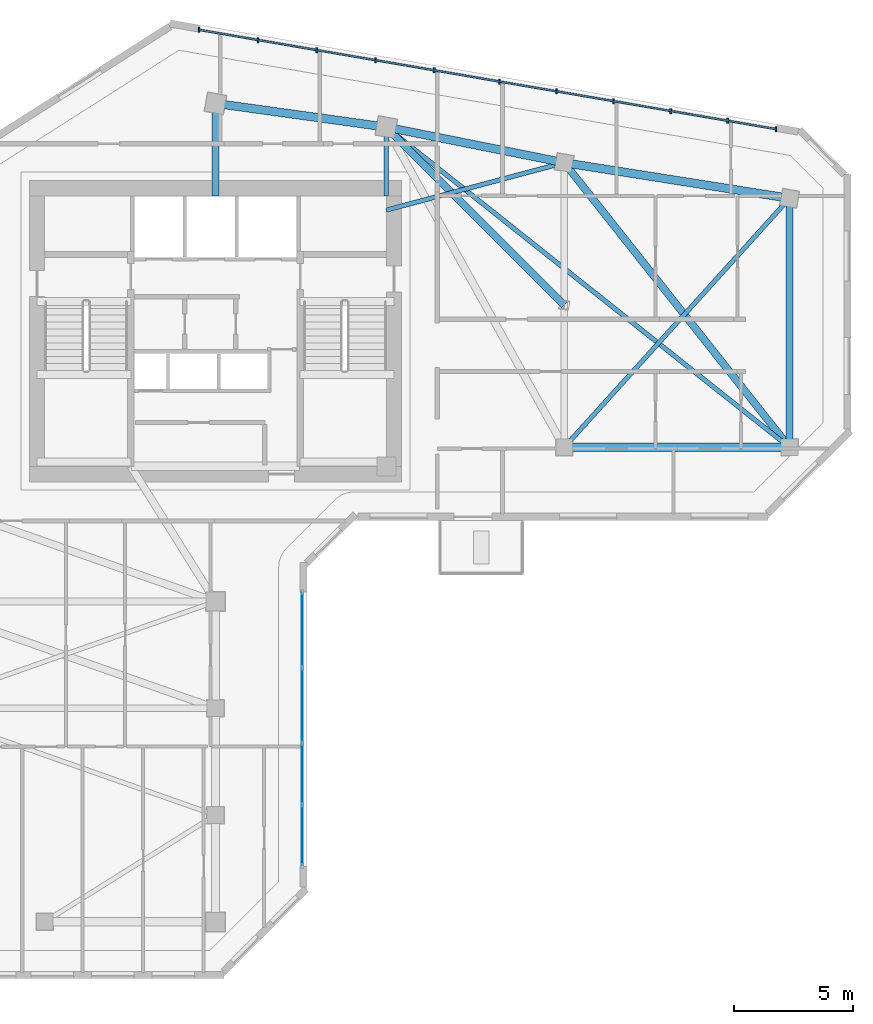
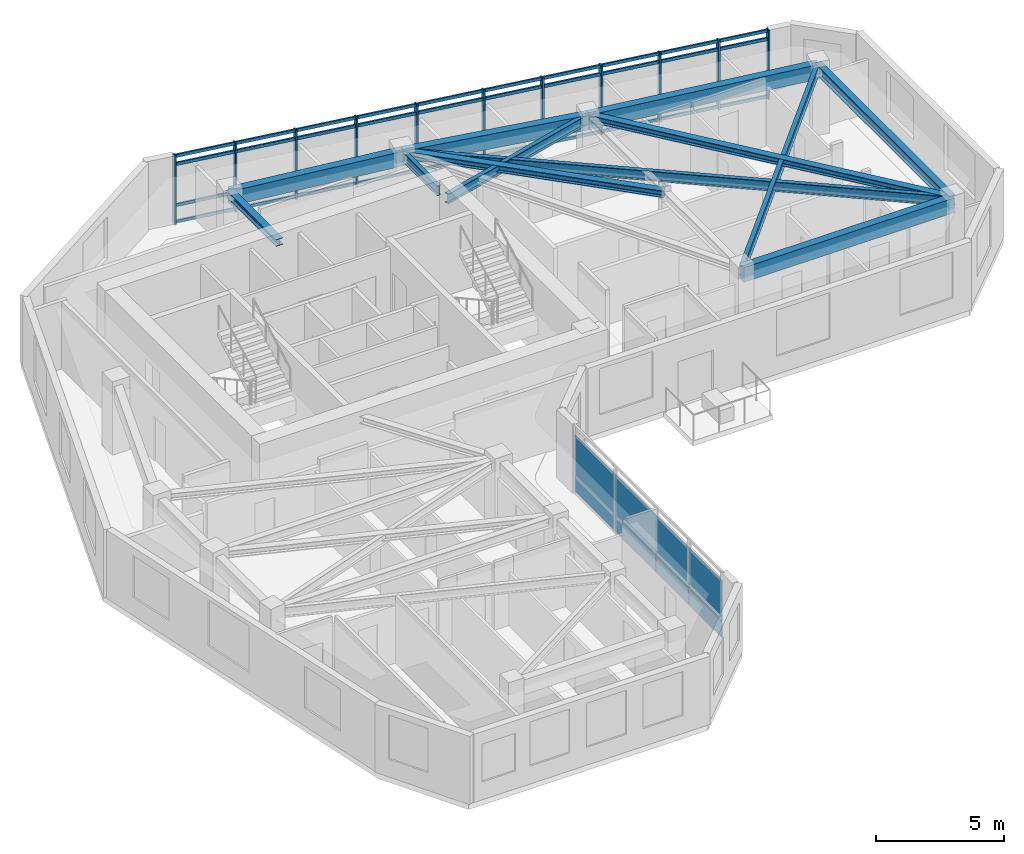
# One storey, part 3 of 11: 15 members, 12 beams, 8 plates, 2 elements without a shape of their own.
"""IFC4 building model written with IfcOpenShell, lengths in metres."""

from ifc_helpers import new_model, si_unit, direction, frame, frame_2d, origin, origin_2d, place, context, subcontext, project, spatial, rectangle, i_section, extrude, source, transform, mapped, material, layer, layer_set, material_profile, profile_set, type_object, element, aggregate, save


model = new_model("IFC4")

# Units and contexts
model_context = context("Model", 3, precision=1e-05, world=origin(), true_north=direction((0.0, 1.0)))
body_context = subcontext(model_context, "Body", "Model", "MODEL_VIEW")
ifc_project = project(units=[si_unit("LENGTHUNIT", "METRE"), si_unit("AREAUNIT", "SQUARE_METRE"), si_unit("VOLUMEUNIT", "CUBIC_METRE"), si_unit("PLANEANGLEUNIT", "RADIAN"), si_unit("MASSUNIT", "GRAM", prefix="KILO")], contexts=[model_context])

# Site, building, storey
site_placement = place(None, origin())
site = spatial("IfcSite", under=ifc_project, at=site_placement, CompositionType="ELEMENT")
building_placement = place(site_placement, origin())
building = spatial("IfcBuilding", under=site, at=building_placement, Name="Calvemar Wedge Station Tower", CompositionType="ELEMENT")
storey_placement = place(building_placement, frame((0.0, 0.0, 186.89990234375)))
storey = spatial("IfcBuildingStorey", under=building, at=storey_placement, Name="L46", CompositionType="ELEMENT", Elevation=186.89990234375)

# Beams
ifc_material_1 = material(Name="Structural steel ASTM A572 Grade 50", Category="steel")
ifc_material_profile_1 = material_profile(ifc_material_1, i_section(OverallWidth=0.19189453125, OverallDepth=0.462890625, WebThickness=0.010498046875, FlangeThickness=0.017578125, FilletRadius=0.012939453125, at=origin_2d()), Name="W460x89")
ifc_profile_set_1 = profile_set([ifc_material_profile_1], Name="Structural steel ASTM A572 Grade 50")
beam_type_1 = type_object("IfcBeamType", Name="BM-J1-W460", PredefinedType="JOIST", material=ifc_profile_set_1)
shared_shape_1 = source(origin(), body_context, "Body", "SweptSolid", [
    extrude(i_section(OverallWidth=0.19189453125, OverallDepth=0.462890625, WebThickness=0.010498046875, FlangeThickness=0.017578125, FilletRadius=0.012939453125, at=origin_2d()), origin(), (0.0, 0.0, 1.0), 21.708251953125),
])
beam_1_placement = place(storey_placement, frame((31.0, 48.5, 3.0185546875), z_axis=(0.783110847498, -0.621882143602, 0.0), x_axis=(0.621882143602, 0.783110847498, 0.0)))
element("IfcBeam", 1, at=beam_1_placement, inside=storey, type_object=beam_type_1, Name="Storey L46 Floor Beam T-N2-T-NL3", PredefinedType="JOIST", context=body_context, shape_type="MappedRepresentation", body=[
    mapped(shared_shape_1, transform((0.0, 0.0, 0.0), scale=1.0)),
])
ifc_material_profile_2 = material_profile(ifc_material_1, i_section(OverallWidth=0.30908203125, OverallDepth=0.322998046875, WebThickness=0.013916015625, FlangeThickness=0.02294921875, FilletRadius=0.014892578125, at=origin_2d()), Name="W310x143")
ifc_profile_set_2 = profile_set([ifc_material_profile_2], Name="Structural steel ASTM A572 Grade 50")
beam_type_2 = type_object("IfcBeamType", Name="BM-J5-W310H", PredefinedType="JOIST", material=ifc_profile_set_2)
shared_shape_2 = source(origin(), body_context, "Body", "SweptSolid", [
    extrude(i_section(OverallWidth=0.30908203125, OverallDepth=0.322998046875, WebThickness=0.013916015625, FlangeThickness=0.02294921875, FilletRadius=0.014892578125, at=origin_2d()), origin(), (0.0, 0.0, 1.0), 15.30517578125),
])
beam_2_placement = place(storey_placement, frame((38.5, 47.0, 3.088623046875), z_axis=(0.620702944366, -0.784045824462, 0.0), x_axis=(0.784045824462, 0.620702944366, 0.0)))
element("IfcBeam", 2, at=beam_2_placement, inside=storey, type_object=beam_type_2, Name="Storey L46 Floor Beam T-NU3-T-NL3", PredefinedType="JOIST", context=body_context, shape_type="MappedRepresentation", body=[
    mapped(shared_shape_2, transform((0.0, 0.0, 0.0), scale=1.0)),
])
shared_shape_3 = source(origin(), body_context, "Body", "SweptSolid", [
    extrude(i_section(OverallWidth=0.19189453125, OverallDepth=0.462890625, WebThickness=0.010498046875, FlangeThickness=0.017578125, FilletRadius=0.012939453125, at=origin_2d()), origin(), (0.0, 0.0, 1.0), 14.159912109375),
])
beam_3_placement = place(storey_placement, frame((38.5, 35.0, 3.0185546875), z_axis=(0.670913323969, 0.741535779124, 0.0), x_axis=(-0.741535779124, 0.670913323969, 0.0)))
element("IfcBeam", 3, at=beam_3_placement, inside=storey, type_object=beam_type_1, Name="Storey L46 Floor Beam T-NL2-T-NU4", PredefinedType="JOIST", context=body_context, shape_type="MappedRepresentation", body=[
    mapped(shared_shape_3, transform((0.0, 0.0, 0.0), scale=1.0)),
])
shared_shape_4 = source(origin(), body_context, "Body", "SweptSolid", [
    extrude(i_section(OverallWidth=0.19189453125, OverallDepth=0.462890625, WebThickness=0.010498046875, FlangeThickness=0.017578125, FilletRadius=0.012939453125, at=origin_2d()), origin(), (0.0, 0.0, 1.0), 7.76220703125),
])
beam_4_placement = place(storey_placement, frame((31.0, 45.0, 3.0185546875), z_axis=(0.966234939601, 0.25766265056, 0.0), x_axis=(-0.25766265056, 0.966234939601, 0.0)))
element("IfcBeam", 4, at=beam_4_placement, inside=storey, type_object=beam_type_1, Name="Storey L46 Core-to-Column Joist CJ-E2", PredefinedType="JOIST", context=body_context, shape_type="MappedRepresentation", body=[
    mapped(shared_shape_4, transform((0.0, 0.0, 0.0), scale=1.0)),
])
shared_shape_5 = source(origin(), body_context, "Body", "SweptSolid", [
    extrude(i_section(OverallWidth=0.30908203125, OverallDepth=0.322998046875, WebThickness=0.013916015625, FlangeThickness=0.02294921875, FilletRadius=0.014892578125, at=origin_2d()), origin(), (0.0, 0.0, 1.0), 3.89990234375),
])
beam_5_placement = place(storey_placement, frame((23.800048828125, 45.60009765625, 3.088623046875), z_axis=(0.0, 1.0, 0.0), x_axis=(-1.0, 0.0, 0.0)))
element("IfcBeam", 5, at=beam_5_placement, inside=storey, type_object=beam_type_2, Name="Storey L46 Core-to-Column Joist CJ-N1", PredefinedType="JOIST", context=body_context, shape_type="MappedRepresentation", body=[
    mapped(shared_shape_5, transform((0.0, 0.0, 0.0), scale=1.0)),
])
shared_shape_6 = source(origin(), body_context, "Body", "SweptSolid", [
    extrude(i_section(OverallWidth=0.19189453125, OverallDepth=0.462890625, WebThickness=0.010498046875, FlangeThickness=0.017578125, FilletRadius=0.012939453125, at=origin_2d()), origin(), (0.0, 0.0, 1.0), 2.89990234375),
])
beam_6_placement = place(storey_placement, frame((31.0, 45.60009765625, 3.0185546875), z_axis=(0.0, 1.0, 0.0), x_axis=(-1.0, 0.0, 0.0)))
element("IfcBeam", 6, at=beam_6_placement, inside=storey, type_object=beam_type_1, Name="Storey L46 Core-to-Column Joist CJ-N2", PredefinedType="JOIST", context=body_context, shape_type="MappedRepresentation", body=[
    mapped(shared_shape_6, transform((0.0, 0.0, 0.0), scale=1.0)),
])
shared_shape_7 = source(origin(), body_context, "Body", "SweptSolid", [
    extrude(i_section(OverallWidth=0.30908203125, OverallDepth=0.322998046875, WebThickness=0.013916015625, FlangeThickness=0.02294921875, FilletRadius=0.014892578125, at=origin_2d()), origin(), (0.0, 0.0, 1.0), 10.606689453125),
])
beam_7_placement = place(storey_placement, frame((38.5, 41.0, 3.088623046875), z_axis=(-0.707106781187, 0.707106781187, 0.0), x_axis=(-0.707106781187, -0.707106781187, 0.0)))
element("IfcBeam", 7, at=beam_7_placement, inside=storey, type_object=beam_type_2, Name="Storey L46 Floor Beam T-NTIP-B-T-N2", PredefinedType="JOIST", context=body_context, shape_type="MappedRepresentation", body=[
    mapped(shared_shape_7, transform((0.0, 0.0, 0.0), scale=1.0)),
])
ifc_material_2 = material(Name="Concrete C50", Category="concrete")
ifc_material_profile_3 = material_profile(ifc_material_2, rectangle(XDim=0.35009765625, YDim=0.699951171875, at=origin_2d()), Name="RC350x700")
ifc_profile_set_3 = profile_set([ifc_material_profile_3], Name="Concrete C50")
beam_type_3 = type_object("IfcBeamType", Name="BM-SP2-700", PredefinedType="SPANDREL", material=ifc_profile_set_3)
shared_shape_8 = source(origin(), body_context, "Body", "SweptSolid", [
    extrude(rectangle(XDim=0.35009765625, YDim=0.699951171875, at=origin_2d()), origin(), (0.0, 0.0, 1.0), 7.26904296875),
])
beam_8_placement = place(storey_placement, frame((23.800048828125, 49.5, 2.900146484375), z_axis=(0.990492146053, -0.13756928657, 0.0), x_axis=(0.13756928657, 0.990492146053, 0.0)))
element("IfcBeam", 8, at=beam_8_placement, inside=storey, type_object=beam_type_3, Name="Storey L46 Spandrel T-N1-T-N2", PredefinedType="SPANDREL", context=body_context, shape_type="MappedRepresentation", body=[
    mapped(shared_shape_8, transform((0.0, 0.0, 0.0), scale=1.0)),
])
shared_shape_9 = source(origin(), body_context, "Body", "SweptSolid", [
    extrude(rectangle(XDim=0.35009765625, YDim=0.699951171875, at=origin_2d()), origin(), (0.0, 0.0, 1.0), 7.6484375),
])
beam_9_placement = place(storey_placement, frame((31.0, 48.5, 2.900146484375), z_axis=(0.980580675691, -0.196116135138, 0.0), x_axis=(0.196116135138, 0.980580675691, 0.0)))
element("IfcBeam", 9, at=beam_9_placement, inside=storey, type_object=beam_type_3, Name="Storey L46 Spandrel T-N2-T-NU3", PredefinedType="SPANDREL", context=body_context, shape_type="MappedRepresentation", body=[
    mapped(shared_shape_9, transform((0.0, 0.0, 0.0), scale=1.0)),
])
shared_shape_10 = source(origin(), body_context, "Body", "SweptSolid", [
    extrude(rectangle(XDim=0.35009765625, YDim=0.699951171875, at=origin_2d()), origin(), (0.0, 0.0, 1.0), 9.61767578125),
])
beam_10_placement = place(storey_placement, frame((38.5, 47.0, 2.900146484375), z_axis=(0.987762965329, -0.155962573473, 0.0), x_axis=(0.155962573473, 0.987762965329, 0.0)))
element("IfcBeam", 10, at=beam_10_placement, inside=storey, type_object=beam_type_3, Name="Storey L46 Spandrel T-NU3-T-NU4", PredefinedType="SPANDREL", context=body_context, shape_type="MappedRepresentation", body=[
    mapped(shared_shape_10, transform((0.0, 0.0, 0.0), scale=1.0)),
])
shared_shape_11 = source(origin(), body_context, "Body", "SweptSolid", [
    extrude(rectangle(XDim=0.35009765625, YDim=0.699951171875, at=origin_2d()), origin(), (0.0, 0.0, 1.0), 9.5),
])
beam_11_placement = place(storey_placement, frame((38.5, 35.0, 2.900146484375), z_axis=(1.0, 0.0, 0.0), x_axis=(0.0, 1.0, 0.0)))
element("IfcBeam", 11, at=beam_11_placement, inside=storey, type_object=beam_type_3, Name="Storey L46 Spandrel T-NL2-T-NL3", PredefinedType="SPANDREL", context=body_context, shape_type="MappedRepresentation", body=[
    mapped(shared_shape_11, transform((0.0, 0.0, 0.0), scale=1.0)),
])
ifc_material_profile_4 = material_profile(ifc_material_1, i_section(OverallWidth=0.283935546875, OverallDepth=0.47607421875, WebThickness=0.014892578125, FlangeThickness=0.02392578125, FilletRadius=0.014892578125, at=origin_2d()), Name="W460x158")
ifc_profile_set_4 = profile_set([ifc_material_profile_4], Name="Structural steel ASTM A572 Grade 50")
beam_type_4 = type_object("IfcBeamType", Name="BM-SB5-W460H", PredefinedType="BEAM", material=ifc_profile_set_4)
shared_shape_12 = source(origin(), body_context, "Body", "SweptSolid", [
    extrude(i_section(OverallWidth=0.283935546875, OverallDepth=0.47607421875, WebThickness=0.014892578125, FlangeThickness=0.02392578125, FilletRadius=0.014892578125, at=origin_2d()), origin(), (0.0, 0.0, 1.0), 10.5),
])
beam_12_placement = place(storey_placement, frame((48.0, 45.5, 3.01220703125), z_axis=(0.0, -1.0, 0.0), x_axis=(1.0, 0.0, 0.0)))
element("IfcBeam", 12, at=beam_12_placement, inside=storey, type_object=beam_type_4, Name="Storey L46 Floor Beam T-NU4-T-NL3", PredefinedType="BEAM", context=body_context, shape_type="MappedRepresentation", body=[
    mapped(shared_shape_12, transform((0.0, 0.0, 0.0), scale=1.0)),
])

# Curtain wall, members
ifc_material_3 = material(Name="Anodised aluminium 6063-T6", Category="aluminium")
curtain_wall_type = type_object("IfcCurtainWallType", Name="CW3", PredefinedType="NOTDEFINED", material=ifc_material_3)
curtain_wall_1_placement = place(storey_placement, origin())
curtain_wall_1 = element("IfcCurtainWall", 13, at=curtain_wall_1_placement, inside=storey, type_object=curtain_wall_type, Name="Storey L46 CW3 Recessed Unitised Curtain Wall 10", PredefinedType="NOTDEFINED")
ifc_material_profile_5 = material_profile(ifc_material_3, rectangle(XDim=0.074951171875, YDim=0.2099609375, at=origin_2d()), Name="AL-MUL-75x210")
ifc_profile_set_5 = profile_set([ifc_material_profile_5], Name="Anodised aluminium 6063-T6")
member_type_1 = type_object("IfcMemberType", Name="CW3-MUL", PredefinedType="MULLION", material=ifc_profile_set_5)
shared_shape_13 = source(origin(), body_context, "Body", "SweptSolid", [
    extrude(rectangle(XDim=0.074951171875, YDim=0.2099609375, at=origin_2d()), origin(), (0.0, 0.0, 1.0), 3.2998046875),
])
member_1_placement = place(storey_placement, frame((47.433349609375, 48.41162109375, -0.0498046875), z_axis=(0.0, 0.0, 1.0), x_axis=(1.0, 0.0, 0.0)))
member_1 = element("IfcMember", 14, at=member_1_placement, type_object=member_type_1, Name="CW3 mullion 1", PredefinedType="MULLION", context=body_context, shape_type="MappedRepresentation", body=[
    mapped(shared_shape_13, transform((0.0, 0.0, 0.0), scale=1.0)),
])
member_2_placement = place(storey_placement, frame((45.394287109375, 48.762451171875, -0.0498046875), z_axis=(0.0, 0.0, 1.0), x_axis=(1.0, 0.0, 0.0)))
member_2 = element("IfcMember", 15, at=member_2_placement, type_object=member_type_1, Name="CW3 mullion 2", PredefinedType="MULLION", context=body_context, shape_type="MappedRepresentation", body=[
    mapped(shared_shape_13, transform((0.0, 0.0, 0.0), scale=1.0)),
])
member_3_placement = place(storey_placement, frame((42.98876953125, 49.17626953125, -0.0498046875), z_axis=(0.0, 0.0, 1.0), x_axis=(1.0, 0.0, 0.0)))
member_3 = element("IfcMember", 16, at=member_3_placement, type_object=member_type_1, Name="CW3 mullion 3", PredefinedType="MULLION", context=body_context, shape_type="MappedRepresentation", body=[
    mapped(shared_shape_13, transform((0.0, 0.0, 0.0), scale=1.0)),
])
member_4_placement = place(storey_placement, frame((40.583251953125, 49.590087890625, -0.0498046875), z_axis=(0.0, 0.0, 1.0), x_axis=(1.0, 0.0, 0.0)))
member_4 = element("IfcMember", 17, at=member_4_placement, type_object=member_type_1, Name="CW3 mullion 4", PredefinedType="MULLION", context=body_context, shape_type="MappedRepresentation", body=[
    mapped(shared_shape_13, transform((0.0, 0.0, 0.0), scale=1.0)),
])
member_5_placement = place(storey_placement, frame((38.177490234375, 50.00390625, -0.0498046875), z_axis=(0.0, 0.0, 1.0), x_axis=(1.0, 0.0, 0.0)))
member_5 = element("IfcMember", 18, at=member_5_placement, type_object=member_type_1, Name="CW3 mullion 5", PredefinedType="MULLION", context=body_context, shape_type="MappedRepresentation", body=[
    mapped(shared_shape_13, transform((0.0, 0.0, 0.0), scale=1.0)),
])
member_6_placement = place(storey_placement, frame((35.771240234375, 50.417724609375, -0.0498046875), z_axis=(0.0, 0.0, 1.0), x_axis=(1.0, 0.0, 0.0)))
member_6 = element("IfcMember", 19, at=member_6_placement, type_object=member_type_1, Name="CW3 mullion 6", PredefinedType="MULLION", context=body_context, shape_type="MappedRepresentation", body=[
    mapped(shared_shape_13, transform((0.0, 0.0, 0.0), scale=1.0)),
])
member_7_placement = place(storey_placement, frame((33.021240234375, 50.890869140625, -0.0498046875), z_axis=(0.0, 0.0, 1.0), x_axis=(1.0, 0.0, 0.0)))
member_7 = element("IfcMember", 20, at=member_7_placement, type_object=member_type_1, Name="CW3 mullion 7", PredefinedType="MULLION", context=body_context, shape_type="MappedRepresentation", body=[
    mapped(shared_shape_13, transform((0.0, 0.0, 0.0), scale=1.0)),
])
member_8_placement = place(storey_placement, frame((30.54638671875, 51.316650390625, -0.0498046875), z_axis=(0.0, 0.0, 1.0), x_axis=(1.0, 0.0, 0.0)))
member_8 = element("IfcMember", 21, at=member_8_placement, type_object=member_type_1, Name="CW3 mullion 8", PredefinedType="MULLION", context=body_context, shape_type="MappedRepresentation", body=[
    mapped(shared_shape_13, transform((0.0, 0.0, 0.0), scale=1.0)),
])
member_9_placement = place(storey_placement, frame((28.0712890625, 51.742431640625, -0.0498046875), z_axis=(0.0, 0.0, 1.0), x_axis=(1.0, 0.0, 0.0)))
member_9 = element("IfcMember", 22, at=member_9_placement, type_object=member_type_1, Name="CW3 mullion 9", PredefinedType="MULLION", context=body_context, shape_type="MappedRepresentation", body=[
    mapped(shared_shape_13, transform((0.0, 0.0, 0.0), scale=1.0)),
])
member_10_placement = place(storey_placement, frame((25.58837890625, 52.169677734375, -0.0498046875), z_axis=(0.0, 0.0, 1.0), x_axis=(1.0, 0.0, 0.0)))
member_10 = element("IfcMember", 23, at=member_10_placement, type_object=member_type_1, Name="CW3 mullion 10", PredefinedType="MULLION", context=body_context, shape_type="MappedRepresentation", body=[
    mapped(shared_shape_13, transform((0.0, 0.0, 0.0), scale=1.0)),
])
member_11_placement = place(storey_placement, frame((23.105712890625, 52.5966796875, -0.0498046875), z_axis=(0.0, 0.0, 1.0), x_axis=(1.0, 0.0, 0.0)))
member_11 = element("IfcMember", 24, at=member_11_placement, type_object=member_type_1, Name="CW3 mullion 11", PredefinedType="MULLION", context=body_context, shape_type="MappedRepresentation", body=[
    mapped(shared_shape_13, transform((0.0, 0.0, 0.0), scale=1.0)),
])
ifc_material_profile_6 = material_profile(ifc_material_3, rectangle(XDim=0.074951171875, YDim=0.14501953125, at=origin_2d()), Name="AL-TRN-75x145")
ifc_profile_set_6 = profile_set([ifc_material_profile_6], Name="Anodised aluminium 6063-T6")
member_type_2 = type_object("IfcMemberType", Name="CW3-TRN", PredefinedType="USERDEFINED", material=ifc_profile_set_6)
shared_shape_14 = source(origin(), body_context, "Body", "SweptSolid", [
    extrude(rectangle(XDim=0.074951171875, YDim=0.14501953125, at=origin_2d()), origin(), (0.0, 0.0, 1.0), 24.68505859375),
])
member_12_placement = place(storey_placement, frame((47.433349609375, 48.41162109375, 0.06005859375), z_axis=(-0.985523545507, 0.16953861286, 0.0), x_axis=(-0.16953861286, -0.985523545507, 0.0)))
member_12 = element("IfcMember", 25, at=member_12_placement, type_object=member_type_2, Name="CW3 transom 1", ObjectType="TRANSOM", PredefinedType="USERDEFINED", context=body_context, shape_type="MappedRepresentation", body=[
    mapped(shared_shape_14, transform((0.0, 0.0, 0.0), scale=1.0)),
])
member_13_placement = place(storey_placement, frame((47.433349609375, 48.41162109375, 0.85009765625), z_axis=(-0.985523545507, 0.16953861286, 0.0), x_axis=(-0.16953861286, -0.985523545507, 0.0)))
member_13 = element("IfcMember", 26, at=member_13_placement, type_object=member_type_2, Name="CW3 transom 2", ObjectType="TRANSOM", PredefinedType="USERDEFINED", context=body_context, shape_type="MappedRepresentation", body=[
    mapped(shared_shape_14, transform((0.0, 0.0, 0.0), scale=1.0)),
])
member_14_placement = place(storey_placement, frame((47.433349609375, 48.41162109375, 2.800048828125), z_axis=(-0.985523545507, 0.16953861286, 0.0), x_axis=(-0.16953861286, -0.985523545507, 0.0)))
member_14 = element("IfcMember", 27, at=member_14_placement, type_object=member_type_2, Name="CW3 transom 3", ObjectType="TRANSOM", PredefinedType="USERDEFINED", context=body_context, shape_type="MappedRepresentation", body=[
    mapped(shared_shape_14, transform((0.0, 0.0, 0.0), scale=1.0)),
])
member_15_placement = place(storey_placement, frame((47.433349609375, 48.41162109375, 3.190185546875), z_axis=(-0.985523545507, 0.16953861286, 0.0), x_axis=(-0.16953861286, -0.985523545507, 0.0)))
member_15 = element("IfcMember", 28, at=member_15_placement, type_object=member_type_2, Name="CW3 transom 4", ObjectType="TRANSOM", PredefinedType="USERDEFINED", context=body_context, shape_type="MappedRepresentation", body=[
    mapped(shared_shape_14, transform((0.0, 0.0, 0.0), scale=1.0)),
])
aggregate(curtain_wall_1, [member_1, member_2, member_3, member_4, member_5, member_6, member_7, member_8, member_9, member_10, member_11, member_12, member_13, member_14, member_15])

# Curtain wall, plates
curtain_wall_2_placement = place(storey_placement, origin())
curtain_wall_2 = element("IfcCurtainWall", 29, at=curtain_wall_2_placement, inside=storey, type_object=curtain_wall_type, Name="Storey L46 CW3 Recessed Unitised Curtain Wall 4", PredefinedType="NOTDEFINED")
ifc_material_4 = material(Name="Low-E laminated insulated glass", Category="glass")
ifc_layer_1 = layer(ifc_material_4, 0.028076171875)
ifc_layer_set_1 = layer_set([ifc_layer_1], Name="Low-E laminated insulated glass")
plate_type_1 = type_object("IfcPlateType", Name="CW3-GLZ", PredefinedType="CURTAIN_PANEL", material=ifc_layer_set_1)
plate_1_placement = place(storey_placement, frame((27.4541015625, 17.380126953125, 0.8701171875), z_axis=(0.0, 0.0, 1.0), x_axis=(0.0, 1.0, 0.0)))
plate_1 = element("IfcPlate", 30, at=plate_1_placement, type_object=plate_type_1, Name="CW3 vision glass panel 1", PredefinedType="CURTAIN_PANEL", context=body_context, shape_type="SweptSolid", body=[
    extrude(rectangle(XDim=2.54443359375, YDim=0.028076171875, at=frame_2d((1.272216796875, 0.0))), origin(), (0.0, 0.0, 1.0), 1.909912109375),
])
plate_2_placement = place(storey_placement, frame((27.4541015625, 19.96044921875, 0.8701171875), z_axis=(0.0, 0.0, 1.0), x_axis=(0.0, 1.0, 0.0)))
plate_2 = element("IfcPlate", 31, at=plate_2_placement, type_object=plate_type_1, Name="CW3 vision glass panel 2", PredefinedType="CURTAIN_PANEL", context=body_context, shape_type="SweptSolid", body=[
    extrude(rectangle(XDim=2.54443359375, YDim=0.028076171875, at=frame_2d((1.272216796875, 0.0))), origin(), (0.0, 0.0, 1.0), 1.909912109375),
])
plate_3_placement = place(storey_placement, frame((27.4541015625, 22.541015625, 0.8701171875), z_axis=(0.0, 0.0, 1.0), x_axis=(0.0, 1.0, 0.0)))
plate_3 = element("IfcPlate", 32, at=plate_3_placement, type_object=plate_type_1, Name="CW3 vision glass panel 3", PredefinedType="CURTAIN_PANEL", context=body_context, shape_type="SweptSolid", body=[
    extrude(rectangle(XDim=3.1455078125, YDim=0.028076171875, at=frame_2d((1.57275390625, 0.0))), origin(), (0.0, 0.0, 1.0), 1.909912109375),
])
plate_4_placement = place(storey_placement, frame((27.4541015625, 25.722412109375, 0.8701171875), z_axis=(0.0, 0.0, 1.0), x_axis=(0.0, 1.0, 0.0)))
plate_4 = element("IfcPlate", 33, at=plate_4_placement, type_object=plate_type_1, Name="CW3 vision glass panel 4", PredefinedType="CURTAIN_PANEL", context=body_context, shape_type="SweptSolid", body=[
    extrude(rectangle(XDim=3.145751953125, YDim=0.028076171875, at=frame_2d((1.57275390625, 0.0))), origin(), (0.0, 0.0, 1.0), 1.909912109375),
])
ifc_material_5 = material(Name="Oxidized bronze aluminium spandrel panel 5005-H24", Category="aluminium")
ifc_layer_2 = layer(ifc_material_5, 0.0400390625)
ifc_layer_set_2 = layer_set([ifc_layer_2], Name="Oxidized bronze aluminium spandrel panel 5005-H24")
plate_type_2 = type_object("IfcPlateType", Name="CW3-SPD", PredefinedType="SHEET", material=ifc_layer_set_2)
plate_5_placement = place(storey_placement, frame((27.4541015625, 17.380126953125, 0.080078125), z_axis=(0.0, 0.0, 1.0), x_axis=(0.0, 1.0, 0.0)))
plate_5 = element("IfcPlate", 34, at=plate_5_placement, type_object=plate_type_2, Name="CW3 bronze spandrel panel 1", PredefinedType="SHEET", context=body_context, shape_type="SweptSolid", body=[
    extrude(rectangle(XDim=2.54443359375, YDim=0.0400390625, at=frame_2d((1.272216796875, 0.0))), origin(), (0.0, 0.0, 1.0), 0.75),
])
plate_6_placement = place(storey_placement, frame((27.4541015625, 19.96044921875, 0.080078125), z_axis=(0.0, 0.0, 1.0), x_axis=(0.0, 1.0, 0.0)))
plate_6 = element("IfcPlate", 35, at=plate_6_placement, type_object=plate_type_2, Name="CW3 bronze spandrel panel 2", PredefinedType="SHEET", context=body_context, shape_type="SweptSolid", body=[
    extrude(rectangle(XDim=2.54443359375, YDim=0.0400390625, at=frame_2d((1.272216796875, 0.0))), origin(), (0.0, 0.0, 1.0), 0.75),
])
plate_7_placement = place(storey_placement, frame((27.4541015625, 22.541015625, 0.080078125), z_axis=(0.0, 0.0, 1.0), x_axis=(0.0, 1.0, 0.0)))
plate_7 = element("IfcPlate", 36, at=plate_7_placement, type_object=plate_type_2, Name="CW3 bronze spandrel panel 3", PredefinedType="SHEET", context=body_context, shape_type="SweptSolid", body=[
    extrude(rectangle(XDim=3.1455078125, YDim=0.0400390625, at=frame_2d((1.57275390625, 0.0))), origin(), (0.0, 0.0, 1.0), 0.75),
])
plate_8_placement = place(storey_placement, frame((27.4541015625, 25.722412109375, 0.080078125), z_axis=(0.0, 0.0, 1.0), x_axis=(0.0, 1.0, 0.0)))
plate_8 = element("IfcPlate", 37, at=plate_8_placement, type_object=plate_type_2, Name="CW3 bronze spandrel panel 4", PredefinedType="SHEET", context=body_context, shape_type="SweptSolid", body=[
    extrude(rectangle(XDim=3.145751953125, YDim=0.0400390625, at=frame_2d((1.57275390625, 0.0))), origin(), (0.0, 0.0, 1.0), 0.75),
])
aggregate(curtain_wall_2, [plate_5, plate_1, plate_6, plate_2, plate_7, plate_3, plate_8, plate_4])

save(model, "model.ifc")
